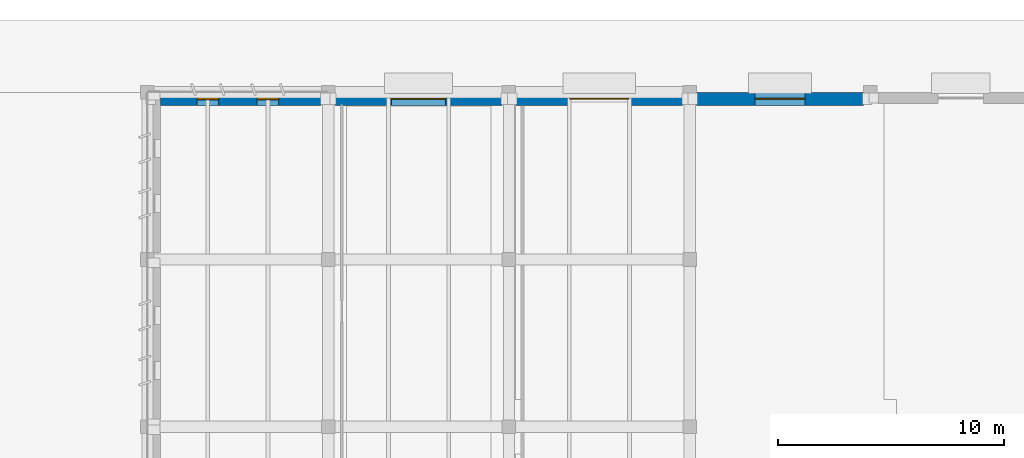
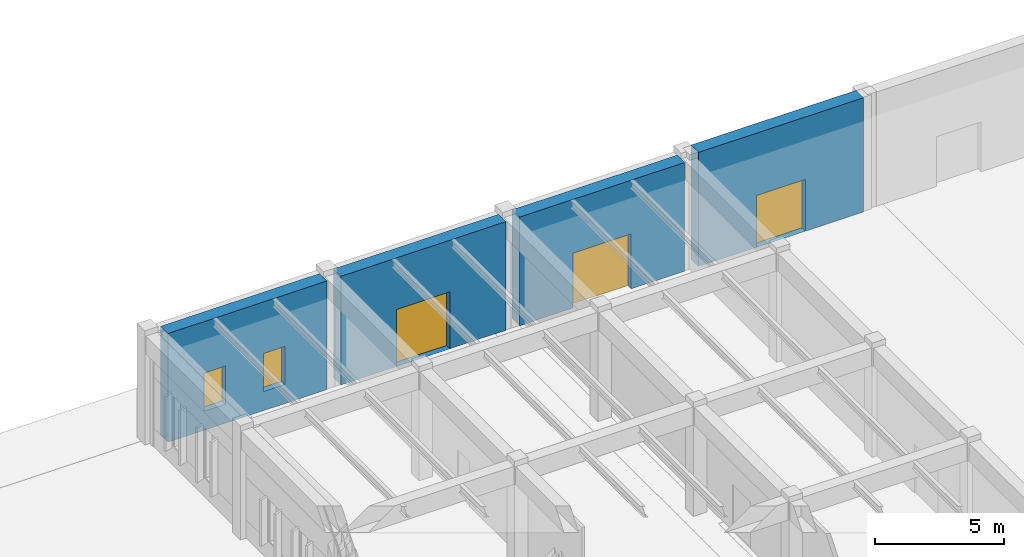
# One storey, part 27 of 56: 4 walls, 3 doors, 2 windows, 5 openings.
"""IFC4 building model written with IfcOpenShell, lengths in metres."""

from ifc_helpers import new_model, si_unit, direction, frame, frame_2d, origin, place, context, subcontext, project, spatial, rectangle, extrude, material, layer, layer_set, type_object, element, fill, save


model = new_model("IFC4")

# Units and contexts
model_context = context("Model", 3, precision=1e-05, world=origin(), true_north=direction((0.0, 1.0)))
body_context = subcontext(model_context, "Body", "Model", "MODEL_VIEW")
ifc_project = project(units=[si_unit("LENGTHUNIT", "METRE"), si_unit("AREAUNIT", "SQUARE_METRE"), si_unit("VOLUMEUNIT", "CUBIC_METRE"), si_unit("PLANEANGLEUNIT", "RADIAN"), si_unit("MASSUNIT", "GRAM", prefix="KILO")], contexts=[model_context])

# Site, building, storey
site_placement = place(None, origin())
site = spatial("IfcSite", under=ifc_project, at=site_placement, CompositionType="ELEMENT")
building_placement = place(site_placement, origin())
building = spatial("IfcBuilding", under=site, at=building_placement, Name="Valkorina Park Police Headquarters", CompositionType="ELEMENT")
storey_placement = place(building_placement, origin())
storey = spatial("IfcBuildingStorey", under=building, at=storey_placement, Name="L01", CompositionType="ELEMENT", Elevation=0.0)

# Wall, openings, windows
ifc_material_1 = material(Name="Concrete C35/45", Category="concrete")
ifc_layer_1 = layer(ifc_material_1, 0.580078125)
ifc_layer_set_1 = layer_set([ifc_layer_1], Name="Concrete C35/45")
wall_type = type_object("IfcWallType", Name="WL-EXT-BOARD-580", PredefinedType="STANDARD", material=ifc_layer_set_1)
wall_1_placement = place(storey_placement, frame((97.3798828125, 110.7099609375, 0.0), z_axis=(0.0, 0.0, 1.0), x_axis=(1.0, 0.0, 0.0)))
wall_1 = element("IfcWall", 1, at=wall_1_placement, inside=storey, type_object=wall_type, Name="L01 Architectural Concrete Exterior Wall 0044", PredefinedType="STANDARD", context=body_context, shape_type="SweptSolid", body=[
    extrude(rectangle(XDim=7.110107421875, YDim=0.580078125, at=frame_2d((3.55517578125, 0.0))), origin(), (0.0, 0.0, 1.0), 5.139892578125),
])
opening_1_placement = place(wall_1_placement, frame((1.61669921875, 0.0, 0.89990234375)))
opening_1 = element("IfcOpeningElement", 2, at=opening_1_placement, cuts=wall_1, Name="Opening WN-17", PredefinedType="OPENING", context=body_context, shape_type="SweptSolid", body=[
    extrude(rectangle(XDim=0.949951171875, YDim=1.800048828125, at=frame_2d((0.47509765625, 0.89990234375))), frame((0.0, 0.300048828125, 0.0), z_axis=(0.0, -1.0, 0.0), x_axis=(1.0, 0.0, 0.0)), (0.0, 0.0, 1.0), 0.60009765625),
])
opening_2_placement = place(wall_1_placement, frame((4.2734375, 0.0, 0.89990234375)))
opening_2 = element("IfcOpeningElement", 3, at=opening_2_placement, cuts=wall_1, Name="Opening WN-17", PredefinedType="OPENING", context=body_context, shape_type="SweptSolid", body=[
    extrude(rectangle(XDim=0.949951171875, YDim=1.800048828125, at=frame_2d((0.47509765625, 0.89990234375))), frame((0.0, 0.300048828125, 0.0), z_axis=(0.0, -1.0, 0.0), x_axis=(1.0, 0.0, 0.0)), (0.0, 0.0, 1.0), 0.60009765625),
])
ifc_material_2 = material(Name="Triple low-E insulated glazing", Category="glass")
ifc_layer_2 = layer(ifc_material_2, 0.06005859375)
ifc_layer_set_2 = layer_set([ifc_layer_2], Name="Triple low-E insulated glazing")
window_type = type_object("IfcWindowType", Name="WN-SLOT-950x1800", PartitioningType="SINGLE_PANEL", PredefinedType="WINDOW", material=ifc_layer_set_2)
window_1_placement = place(opening_1_placement, origin())
window_1 = element("IfcWindow", 4, at=window_1_placement, inside=storey, type_object=window_type, Name="Window L01-0077", OverallHeight=1.800048828125, OverallWidth=0.949951171875, PartitioningType="SINGLE_PANEL", PredefinedType="WINDOW", context=body_context, shape_type="SweptSolid", body=[
    extrude(rectangle(XDim=0.949951171875, YDim=1.800048828125, at=frame_2d((0.47509765625, 0.89990234375))), frame((0.0, 0.030029296875, 0.0), z_axis=(0.0, -1.0, 0.0), x_axis=(1.0, 0.0, 0.0)), (0.0, 0.0, 1.0), 0.06005859375),
])
fill(opening_1, window_1)
window_2_placement = place(opening_2_placement, origin())
window_2 = element("IfcWindow", 5, at=window_2_placement, inside=storey, type_object=window_type, Name="Window L01-0078", OverallHeight=1.800048828125, OverallWidth=0.949951171875, PartitioningType="SINGLE_PANEL", PredefinedType="WINDOW", context=body_context, shape_type="SweptSolid", body=[
    extrude(rectangle(XDim=0.949951171875, YDim=1.800048828125, at=frame_2d((0.47509765625, 0.89990234375))), frame((0.0, 0.030029296875, 0.0), z_axis=(0.0, -1.0, 0.0), x_axis=(1.0, 0.0, 0.0)), (0.0, 0.0, 1.0), 0.06005859375),
])
fill(opening_2, window_2)

# Wall, opening, door
wall_2_placement = place(storey_placement, frame((105.110107421875, 110.7099609375, 0.0), z_axis=(0.0, 0.0, 1.0), x_axis=(1.0, 0.0, 0.0)))
wall_2 = element("IfcWall", 6, at=wall_2_placement, inside=storey, type_object=wall_type, Name="L01 Architectural Concrete Exterior Wall 0045", PredefinedType="STANDARD", context=body_context, shape_type="SweptSolid", body=[
    extrude(rectangle(XDim=7.3798828125, YDim=0.580078125, at=frame_2d((3.68994140625, 0.0))), origin(), (0.0, 0.0, 1.0), 5.139892578125),
])
opening_3_placement = place(wall_2_placement, frame((2.489990234375, 0.0, 0.0)))
opening_3 = element("IfcOpeningElement", 7, at=opening_3_placement, cuts=wall_2, Name="Opening ED-03", PredefinedType="OPENING", context=body_context, shape_type="SweptSolid", body=[
    extrude(rectangle(XDim=2.39990234375, YDim=2.699951171875, at=frame_2d((1.199951171875, 1.35009765625))), frame((0.0, 0.300048828125, 0.0), z_axis=(0.0, -1.0, 0.0), x_axis=(1.0, 0.0, 0.0)), (0.0, 0.0, 1.0), 0.60009765625),
])
ifc_material_3 = material(Name="Thermally broken aluminium AW-6060", Category="aluminium")
ifc_layer_3 = layer(ifc_material_3, 0.050048828125)
ifc_layer_set_3 = layer_set([ifc_layer_3], Name="Thermally broken aluminium AW-6060")
door_type_1 = type_object("IfcDoorType", Name="DR-EXT-MAIN-2400x2700", OperationType="NOTDEFINED", PredefinedType="DOOR", material=ifc_layer_set_3)
door_1_placement = place(opening_3_placement, origin())
door_1 = element("IfcDoor", 8, at=door_1_placement, inside=storey, type_object=door_type_1, Name="Door D-L01-006 (Final Pedestrian Exit)", OperationType="DOUBLE_DOOR_SINGLE_SWING", OverallHeight=2.699951171875, OverallWidth=2.39990234375, PredefinedType="DOOR", context=body_context, shape_type="SweptSolid", body=[
    extrude(rectangle(XDim=2.39990234375, YDim=2.699951171875, at=frame_2d((1.199951171875, 1.35009765625))), frame((0.0, 0.02490234375, 0.0), z_axis=(0.0, -1.0, 0.0), x_axis=(1.0, 0.0, 0.0)), (0.0, 0.0, 1.0), 0.050048828125),
])
fill(opening_3, door_1)

wall_3_placement = place(storey_placement, frame((113.110107421875, 110.7099609375, 0.0), z_axis=(0.0, 0.0, 1.0), x_axis=(1.0, 0.0, 0.0)))
wall_3 = element("IfcWall", 9, at=wall_3_placement, inside=storey, type_object=wall_type, Name="L01 Architectural Concrete Exterior Wall 0046", PredefinedType="STANDARD", context=body_context, shape_type="SweptSolid", body=[
    extrude(rectangle(XDim=7.3798828125, YDim=0.580078125, at=frame_2d((3.68994140625, 0.0))), origin(), (0.0, 0.0, 1.0), 5.139892578125),
])
opening_4_placement = place(wall_3_placement, frame((2.389892578125, 0.0, 0.0)))
opening_4 = element("IfcOpeningElement", 10, at=opening_4_placement, cuts=wall_3, Name="Opening ED-07", PredefinedType="OPENING", context=body_context, shape_type="SweptSolid", body=[
    extrude(rectangle(XDim=2.60009765625, YDim=2.60009765625, at=frame_2d((1.300048828125, 1.300048828125))), frame((0.0, 0.300048828125, 0.0), z_axis=(0.0, -1.0, 0.0), x_axis=(1.0, 0.0, 0.0)), (0.0, 0.0, 1.0), 0.60009765625),
])
ifc_layer_4 = layer(ifc_material_3, 0.050048828125)
ifc_layer_set_4 = layer_set([ifc_layer_4], Name="Thermally broken aluminium AW-6060")
door_type_2 = type_object("IfcDoorType", Name="DR-EXT-EXIT-2600x2600", OperationType="NOTDEFINED", PredefinedType="DOOR", material=ifc_layer_set_4)
door_2_placement = place(opening_4_placement, origin())
door_2 = element("IfcDoor", 11, at=door_2_placement, inside=storey, type_object=door_type_2, Name="Door D-L01-007 (Final Pedestrian Exit)", OperationType="DOUBLE_DOOR_SINGLE_SWING", OverallHeight=2.60009765625, OverallWidth=2.60009765625, PredefinedType="DOOR", context=body_context, shape_type="SweptSolid", body=[
    extrude(rectangle(XDim=2.60009765625, YDim=2.60009765625, at=frame_2d((1.300048828125, 1.300048828125))), frame((0.0, 0.02490234375, 0.0), z_axis=(0.0, -1.0, 0.0), x_axis=(1.0, 0.0, 0.0)), (0.0, 0.0, 1.0), 0.050048828125),
])
fill(opening_4, door_2)

wall_4_placement = place(storey_placement, frame((121.110107421875, 110.7099609375, 0.0), z_axis=(0.0, 0.0, 1.0), x_axis=(1.0, 0.0, 0.0)))
wall_4 = element("IfcWall", 12, at=wall_4_placement, inside=storey, type_object=wall_type, Name="L01 Architectural Concrete Exterior Wall 0047", PredefinedType="STANDARD", context=body_context, shape_type="SweptSolid", body=[
    extrude(rectangle(XDim=7.3798828125, YDim=0.580078125, at=frame_2d((3.68994140625, 0.0))), origin(), (0.0, 0.0, 1.0), 5.39990234375),
])
opening_5_placement = place(wall_4_placement, frame((2.590087890625, 0.0, 0.0)))
opening_5 = element("IfcOpeningElement", 13, at=opening_5_placement, cuts=wall_4, Name="Opening ED-06", PredefinedType="OPENING", context=body_context, shape_type="SweptSolid", body=[
    extrude(rectangle(XDim=2.199951171875, YDim=2.449951171875, at=frame_2d((1.10009765625, 1.22509765625))), frame((0.0, 0.300048828125, 0.0), z_axis=(0.0, -1.0, 0.0), x_axis=(1.0, 0.0, 0.0)), (0.0, 0.0, 1.0), 0.60009765625),
])
ifc_layer_5 = layer(ifc_material_3, 0.050048828125)
ifc_layer_set_5 = layer_set([ifc_layer_5], Name="Thermally broken aluminium AW-6060")
door_type_3 = type_object("IfcDoorType", Name="DR-EXT-EXIT-2200x2450", OperationType="NOTDEFINED", PredefinedType="DOOR", material=ifc_layer_set_5)
door_3_placement = place(opening_5_placement, origin())
door_3 = element("IfcDoor", 14, at=door_3_placement, inside=storey, type_object=door_type_3, Name="Door D-L01-008 (Final Pedestrian Exit)", OperationType="DOUBLE_DOOR_SINGLE_SWING", OverallHeight=2.449951171875, OverallWidth=2.199951171875, PredefinedType="DOOR", context=body_context, shape_type="SweptSolid", body=[
    extrude(rectangle(XDim=2.199951171875, YDim=2.449951171875, at=frame_2d((1.10009765625, 1.22509765625))), frame((0.0, 0.02490234375, 0.0), z_axis=(0.0, -1.0, 0.0), x_axis=(1.0, 0.0, 0.0)), (0.0, 0.0, 1.0), 0.050048828125),
])
fill(opening_5, door_3)

save(model, "model.ifc")
